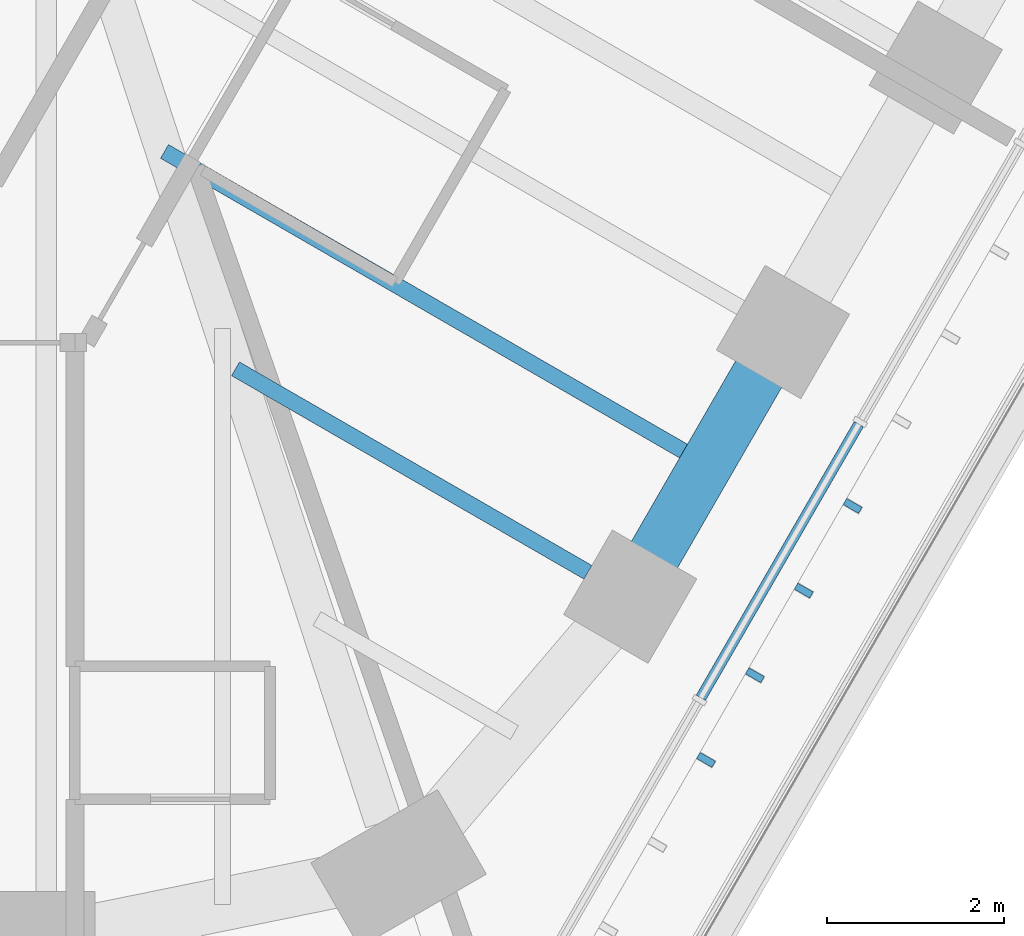
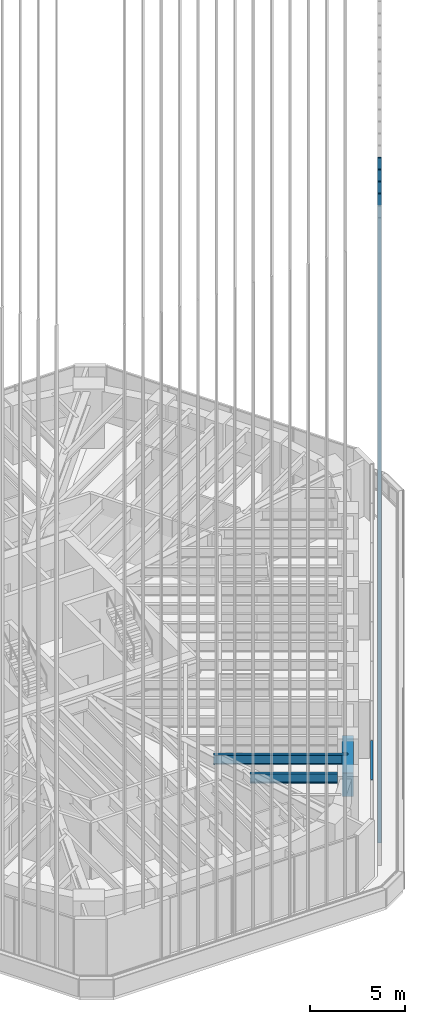
# One storey, part 36 of 127: 5 members, 3 beams, 1 element without a shape of its own.
"""IFC4 building model written with IfcOpenShell, lengths in metres."""

from ifc_helpers import new_model, si_unit, direction, frame, origin, origin_2d, place, context, subcontext, project, spatial, rectangle, i_section, extrude, material, material_profile, profile_set, type_object, element, aggregate, save


model = new_model("IFC4")

# Units and contexts
model_context = context("Model", 3, precision=1e-05, world=origin(), true_north=direction((0.0, 1.0)))
body_context = subcontext(model_context, "Body", "Model", "MODEL_VIEW")
ifc_project = project(units=[si_unit("LENGTHUNIT", "METRE"), si_unit("AREAUNIT", "SQUARE_METRE"), si_unit("VOLUMEUNIT", "CUBIC_METRE"), si_unit("PLANEANGLEUNIT", "RADIAN"), si_unit("MASSUNIT", "GRAM", prefix="KILO")], contexts=[model_context])

# Site, building, storey
site_placement = place(None, origin())
site = spatial("IfcSite", under=ifc_project, at=site_placement, CompositionType="ELEMENT")
building_placement = place(site_placement, origin())
building = spatial("IfcBuilding", under=site, at=building_placement, Name="Sandreach Pilgrim Tower", CompositionType="ELEMENT")
storey_placement = place(building_placement, frame((0.0, 0.0, 257.0)))
storey = spatial("IfcBuildingStorey", under=building, at=storey_placement, Name="L64", CompositionType="ELEMENT", Elevation=257.0)

# Curtain wall, member
ifc_material_1 = material(Name="Aluminium framed curtain wall", Category="aluminium")
curtain_wall_type = type_object("IfcCurtainWallType", Name="Suite tower curtain wall", PredefinedType="NOTDEFINED", material=ifc_material_1)
curtain_wall_placement = place(storey_placement, origin())
curtain_wall = element("IfcCurtainWall", 1, at=curtain_wall_placement, inside=storey, type_object=curtain_wall_type, Name="CW-4 L64 SE", PredefinedType="NOTDEFINED")
ifc_material_2 = material(Name="Aluminium extrusion", Category="aluminium")
ifc_material_profile_1 = material_profile(ifc_material_2, rectangle(XDim=0.1201171875, YDim=0.070068359375, at=origin_2d()), Name="CW-4T 120X70")
ifc_profile_set_1 = profile_set([ifc_material_profile_1], Name="Aluminium extrusion")
member_type_1 = type_object("IfcMemberType", Name="CW-4 transom", PredefinedType="USERDEFINED", material=ifc_profile_set_1)
member_1_placement = place(storey_placement, frame((12.6279296875, -17.78076171875, 3.60498046875), z_axis=(-0.500009219579, -0.866020080793, 0.0), x_axis=(0.866020080793, -0.500009219579, 0.0)))
member_1 = element("IfcMember", 2, at=member_1_placement, type_object=member_type_1, Name="CW-4 head transom 8", ObjectType="TRANSOM", PredefinedType="USERDEFINED", context=body_context, shape_type="SweptSolid", body=[
    extrude(rectangle(XDim=0.1201171875, YDim=0.070068359375, at=origin_2d()), origin(), (0.0, 0.0, 1.0), 3.56201171875),
])

# Beams
ifc_material_3 = material(Name="Steel ASTM A992 Grade 50", Category="steel")
ifc_material_profile_2 = material_profile(ifc_material_3, i_section(OverallWidth=0.1787109375, OverallDepth=0.60205078125, WebThickness=0.010986328125, FlangeThickness=0.014892578125, at=origin_2d()), Name="W24X62")
ifc_profile_set_2 = profile_set([ifc_material_profile_2], Name="Steel ASTM A992 Grade 50")
beam_type_1 = type_object("IfcBeamType", Name="Floor beam W24X62", PredefinedType="BEAM", material=ifc_profile_set_2)
beam_1_placement = place(storey_placement, frame((9.573974609375, -19.450439453125, 3.339111328125), z_axis=(-0.866024320471, 0.50000187635, 0.0), x_axis=(-0.50000187635, -0.866024320471, 0.0)))
element("IfcBeam", 3, at=beam_1_placement, inside=storey, type_object=beam_type_1, Name="BM L64 F21", PredefinedType="BEAM", context=body_context, shape_type="SweptSolid", body=[
    extrude(i_section(OverallWidth=0.1787109375, OverallDepth=0.60205078125, WebThickness=0.010986328125, FlangeThickness=0.014892578125, at=origin_2d()), origin(), (0.0, 0.0, 1.0), 4.58837890625),
])
beam_2_placement = place(storey_placement, frame((10.911376953125, -18.233642578125, 3.339111328125), z_axis=(-0.866020229007, 0.50000896287, 0.0), x_axis=(-0.50000896287, -0.866020229007, 0.0)))
element("IfcBeam", 4, at=beam_2_placement, inside=storey, type_object=beam_type_1, Name="BM L64 FM20", PredefinedType="BEAM", context=body_context, shape_type="SweptSolid", body=[
    extrude(i_section(OverallWidth=0.1787109375, OverallDepth=0.60205078125, WebThickness=0.010986328125, FlangeThickness=0.014892578125, at=origin_2d()), origin(), (0.0, 0.0, 1.0), 7.056396484375),
])
ifc_material_4 = material(Name="Concrete 10000 psi", Category="concrete")
ifc_material_profile_3 = material_profile(ifc_material_4, rectangle(XDim=0.60009765625, YDim=1.5, at=origin_2d()), Name="RC600X1500")
ifc_profile_set_3 = profile_set([ifc_material_profile_3], Name="Concrete 10000 psi")
beam_type_2 = type_object("IfcBeamType", Name="Spandrel beam RC600X1500", PredefinedType="SPANDREL", material=ifc_profile_set_3)
beam_3_placement = place(storey_placement, frame((11.772705078125, -16.741943359375, 2.889892578125), z_axis=(-0.499988291006, -0.866032163869, 0.0), x_axis=(0.866032163869, -0.499988291006, 0.0)))
element("IfcBeam", 5, at=beam_3_placement, inside=storey, type_object=beam_type_2, Name="BM L64 SP20", PredefinedType="SPANDREL", context=body_context, shape_type="SweptSolid", body=[
    extrude(rectangle(XDim=0.60009765625, YDim=1.5, at=origin_2d()), origin(), (0.0, 0.0, 1.0), 3.44482421875),
])

# Member
ifc_material_5 = material(Name="Extruded terracotta on aluminium core", Category="masonry")
ifc_material_profile_4 = material_profile(ifc_material_5, rectangle(XDim=0.080078125, YDim=0.199951171875, at=origin_2d()), Name="TBE 80X200")
ifc_profile_set_4 = profile_set([ifc_material_profile_4], Name="Extruded terracotta on aluminium core")
member_type_2 = type_object("IfcMemberType", Name="Terracotta baguette east", PredefinedType="USERDEFINED", material=ifc_profile_set_4)
member_2_placement = place(storey_placement, frame((12.557861328125, -18.7021484375, 0.0), z_axis=(0.0, 0.0, 1.0), x_axis=(-0.5, -0.866025403784, 0.0)))
member_2 = element("IfcMember", 6, at=member_2_placement, type_object=member_type_2, Name="Baguette Z4 SE24", ObjectType="BAGUETTE", PredefinedType="USERDEFINED", context=body_context, shape_type="SweptSolid", body=[
    extrude(rectangle(XDim=0.080078125, YDim=0.199951171875, at=origin_2d()), origin(), (0.0, 0.0, 1.0), 41.639892578125),
])

member_3_placement = place(storey_placement, frame((12.0068359375, -19.656494140625, 0.0), z_axis=(0.0, 0.0, 1.0), x_axis=(-0.5, -0.866025403784, 0.0)))
member_3 = element("IfcMember", 7, at=member_3_placement, type_object=member_type_2, Name="Baguette Z4 SE25", ObjectType="BAGUETTE", PredefinedType="USERDEFINED", context=body_context, shape_type="SweptSolid", body=[
    extrude(rectangle(XDim=0.080078125, YDim=0.199951171875, at=origin_2d()), origin(), (0.0, 0.0, 1.0), 41.639892578125),
])

member_4_placement = place(storey_placement, frame((11.455810546875, -20.61083984375, 0.0), z_axis=(0.0, 0.0, 1.0), x_axis=(-0.5, -0.866025403784, 0.0)))
member_4 = element("IfcMember", 8, at=member_4_placement, type_object=member_type_2, Name="Baguette Z4 SE26", ObjectType="BAGUETTE", PredefinedType="USERDEFINED", context=body_context, shape_type="SweptSolid", body=[
    extrude(rectangle(XDim=0.080078125, YDim=0.199951171875, at=origin_2d()), origin(), (0.0, 0.0, 1.0), 41.639892578125),
])

member_5_placement = place(storey_placement, frame((10.90478515625, -21.565185546875, 0.0), z_axis=(0.0, 0.0, 1.0), x_axis=(-0.5, -0.866025403784, 0.0)))
member_5 = element("IfcMember", 9, at=member_5_placement, type_object=member_type_2, Name="Baguette Z4 SE27", ObjectType="BAGUETTE", PredefinedType="USERDEFINED", context=body_context, shape_type="SweptSolid", body=[
    extrude(rectangle(XDim=0.080078125, YDim=0.199951171875, at=origin_2d()), origin(), (0.0, 0.0, 1.0), 41.639892578125),
])

aggregate(curtain_wall, [member_1, member_2, member_3, member_4, member_5])

save(model, "model.ifc")
